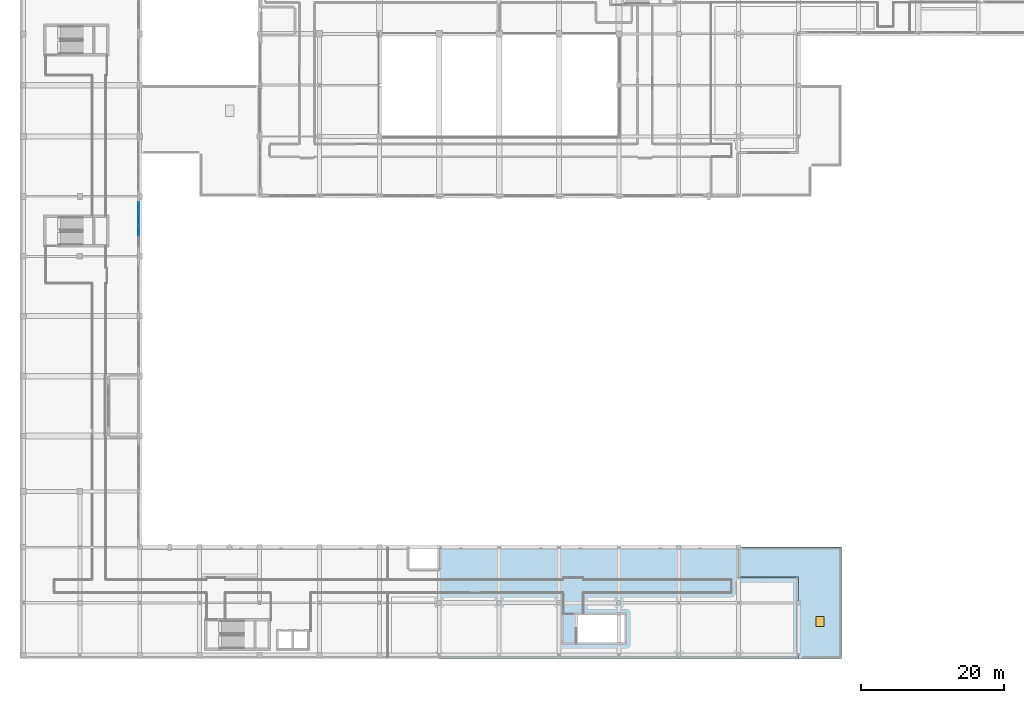
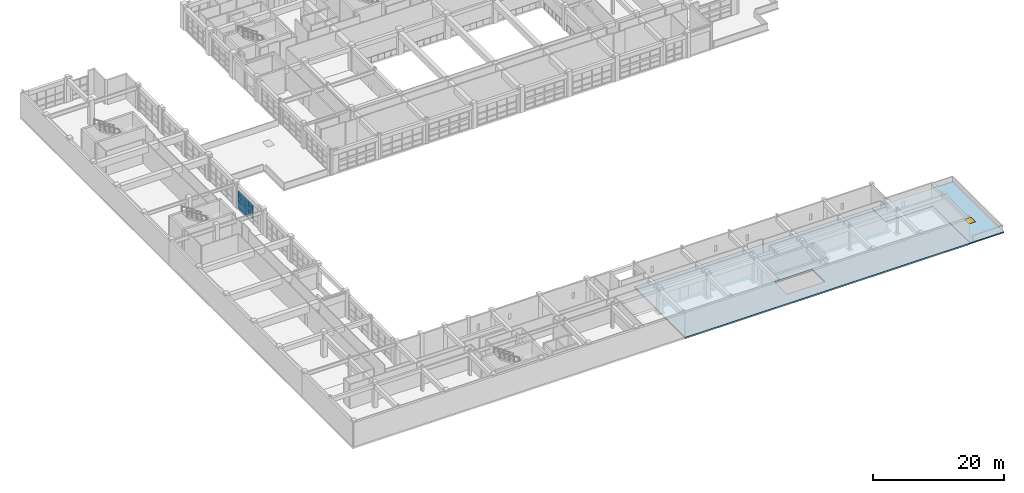
# One storey, part 90 of 123: 8 plates, 2 slabs, 1 window, 1 opening, 1 element without a shape of its own.
"""IFC4 building model written with IfcOpenShell, lengths in metres."""

import ifcopenshell
import ifcopenshell.guid

model = None  # the IFC model being written
_history = None  # IfcOwnerHistory: only IFC2X3 demands one
_inside = {}  # id of a spatial element -> (the spatial element, [elements in it])
_under = {}  # id of a project, library or spatial element -> (it, [spatial elements below it])
_declared = {}  # id of a project -> (the project, [libraries it declares])
_typed = {}  # id of a type object -> (the type object, [elements of that type])
_made_of = {}  # id of a material, layer set ... -> (it, [elements and type objects made of it])


def new_model(schema):
    """Start an empty IFC model of exactly this schema.

    Asked for "IFC4X3", IfcOpenShell would pick the latest addendum, in which some entities
    have other attributes; the version numbers below select the first issue.
    IFC2X3 requires an IfcOwnerHistory on every rooted entity: one is made here for all.
    """
    global model, _history
    if schema == "IFC4X3":
        model = ifcopenshell.file(schema_version=(4, 3, 0, 0))
    else:
        model = ifcopenshell.file(schema=schema)
    _inside.clear()
    _under.clear()
    _declared.clear()
    _typed.clear()
    _made_of.clear()
    _history = None
    if model.schema == "IFC2X3":
        org = make("IfcOrganization", Name="unknown")
        user = make(
            "IfcPersonAndOrganization",
            ThePerson=make("IfcPerson", FamilyName="unknown"),
            TheOrganization=org,
        )
        app = make(
            "IfcApplication",
            ApplicationDeveloper=org,
            Version="unknown",
            ApplicationFullName="unknown",
            ApplicationIdentifier="unknown",
        )
        _history = make(
            "IfcOwnerHistory",
            OwningUser=user,
            OwningApplication=app,
            ChangeAction="ADDED",
            CreationDate=0,
        )
    return model


def make(cls, **values):
    """One entity of the class cls with the attributes given. An attribute that is None is left unset."""
    return model.create_entity(
        cls, **{name: value for name, value in values.items() if value is not None}
    )


def rooted(cls, **values):
    """An entity with a GlobalId (a new one), such as an element, a storey or a relation."""
    return make(cls, GlobalId=ifcopenshell.guid.new(), OwnerHistory=_history, **values)


def si_unit(unit_type, name, prefix=None):
    """IfcSIUnit, for example si_unit("LENGTHUNIT", "METRE", prefix="MILLI")."""
    return make("IfcSIUnit", UnitType=unit_type, Prefix=prefix, Name=name)


def assignment(units):
    """IfcUnitAssignment: the units of a project."""
    return None if units is None else make("IfcUnitAssignment", Units=units)


def point(xyz):
    """IfcCartesianPoint."""
    return None if xyz is None else make("IfcCartesianPoint", Coordinates=xyz)


def direction(xyz):
    """IfcDirection."""
    return None if xyz is None else make("IfcDirection", DirectionRatios=xyz)


def frame(location, z_axis=None, x_axis=None):
    """IfcAxis2Placement3D, a coordinate frame: its origin and axes. An axis left out is left unset."""
    return make(
        "IfcAxis2Placement3D",
        Location=point(location),
        Axis=direction(z_axis),
        RefDirection=direction(x_axis),
    )


def frame_2d(location, x_axis=None):
    """IfcAxis2Placement2D, a coordinate frame in the plane: its origin and x axis."""
    return make(
        "IfcAxis2Placement2D", Location=point(location), RefDirection=direction(x_axis)
    )


def origin():
    """The frame at (0, 0, 0) with its axes left unset."""
    return frame((0.0, 0.0, 0.0))


def origin_2d():
    """The frame at (0, 0) in the plane with its x axis left unset."""
    return frame_2d((0.0, 0.0))


def place(relative_to, where):
    """IfcLocalPlacement: puts the frame where relative to a parent placement (None: the world)."""
    return make(
        "IfcLocalPlacement", PlacementRelTo=relative_to, RelativePlacement=where
    )


def context(
    kind, dimensions, precision=None, world=None, true_north=None, identifier=None
):
    """IfcGeometricRepresentationContext, for example the 3D "Model" context."""
    return make(
        "IfcGeometricRepresentationContext",
        ContextIdentifier=identifier,
        ContextType=kind,
        CoordinateSpaceDimension=dimensions,
        Precision=precision,
        WorldCoordinateSystem=world,
        TrueNorth=true_north,
    )


def subcontext(parent, identifier, kind, view, scale=None):
    """IfcGeometricRepresentationSubContext, for example "Body" below "Model"."""
    return make(
        "IfcGeometricRepresentationSubContext",
        ContextIdentifier=identifier,
        ContextType=kind,
        ParentContext=parent,
        TargetScale=scale,
        TargetView=view,
    )


def project(units=None, contexts=None):
    """IfcProject with its units and contexts."""
    return rooted(
        "IfcProject",
        Name="project",
        RepresentationContexts=contexts,
        UnitsInContext=assignment(units),
    )


def spatial(cls, under=None, at=None, **own):
    """A site, building, storey or space (cls), placed at a placement, below another one or the project."""
    s = rooted(cls, ObjectPlacement=at, **own)
    if under is not None:
        _under.setdefault(under.id(), (under, []))[1].append(s)
    return s


def polyline(points):
    """IfcPolyline through the points."""
    return make("IfcPolyline", Points=[point(p) for p in points])


def profile(cls, at=None, kind="AREA", **sizes):
    """A parametric profile (cls). Its sizes go by their IFC names, for example OverallWidth=200.0."""
    return make(cls, ProfileType=kind, Position=at, **sizes)


def rectangle(**sizes):
    """IfcRectangleProfileDef."""
    return profile("IfcRectangleProfileDef", **sizes)


def outline(outer, holes=None, kind="AREA"):
    """IfcArbitraryClosedProfileDef: a profile drawn as a closed curve; with holes, ...WithVoids."""
    if holes is None:
        return make("IfcArbitraryClosedProfileDef", ProfileType=kind, OuterCurve=outer)
    return make(
        "IfcArbitraryProfileDefWithVoids",
        ProfileType=kind,
        OuterCurve=outer,
        InnerCurves=holes,
    )


def extrude(swept, where, along, depth):
    """IfcExtrudedAreaSolid: the profile swept, set in the frame where, extruded along a direction by depth."""
    return make(
        "IfcExtrudedAreaSolid",
        SweptArea=swept,
        Position=where,
        ExtrudedDirection=direction(along),
        Depth=depth,
    )


def shape(context_of_items, identifier, shape_type, items):
    """IfcShapeRepresentation: the items that make up one representation, for example the "Body"."""
    return make(
        "IfcShapeRepresentation",
        ContextOfItems=context_of_items,
        RepresentationIdentifier=identifier,
        RepresentationType=shape_type,
        Items=items,
    )


def material(Name=None, Category=None):
    """IfcMaterial."""
    return make("IfcMaterial", Name=Name, Category=Category)


def layer(
    of_material, thickness, ventilated=None, Name=None, Category=None, Priority=None
):
    """IfcMaterialLayer: one layer of a wall or slab, of a material (None: an air gap)."""
    return make(
        "IfcMaterialLayer",
        Material=of_material,
        LayerThickness=thickness,
        IsVentilated=ventilated,
        Name=Name,
        Category=Category,
        Priority=Priority,
    )


def layer_set(layers, Name=None):
    """IfcMaterialLayerSet."""
    return make("IfcMaterialLayerSet", MaterialLayers=layers, LayerSetName=Name)


def made_of(thing, what):
    """Note that an element or type object is made of a material, layer set ...; save() writes the relation."""
    if what is not None:
        _made_of.setdefault(what.id(), (what, []))[1].append(thing)
    return thing


def type_object(cls, material=None, **own):
    """A type object (cls), such as IfcWallType, which elements share."""
    return made_of(rooted(cls, **own), material)


def element(
    cls,
    number,
    at=None,
    inside=None,
    cuts=None,
    type_object=None,
    material=None,
    context=None,
    identifier="Body",
    shape_type=None,
    held_by="IfcProductDefinitionShape",
    body=None,
    shapes=None,
    **own,
):
    """One element of the class cls, such as IfcWall. Its Tag is "e" and its number.

    at: its placement. inside: the storey or other place that contains it. cuts: it is an
    opening in that element (IfcRelVoidsElement). A single representation is given by context,
    identifier, shape_type and body (its items); several are given by shapes. held_by: the class
    of the entity that holds the representations. save() writes the other relations.
    """
    e = rooted(cls, Tag="e%d" % number, ObjectPlacement=at, **own)
    if body is not None:
        shapes = [shape(context, identifier, shape_type, body)]
    if shapes is not None:
        e.Representation = make(held_by, Representations=shapes)
    if inside is not None:
        _inside.setdefault(inside.id(), (inside, []))[1].append(e)
    if cuts is not None:
        rooted(
            "IfcRelVoidsElement", RelatingBuildingElement=cuts, RelatedOpeningElement=e
        )
    if type_object is not None:
        _typed.setdefault(type_object.id(), (type_object, []))[1].append(e)
    return made_of(e, material)


def fill(opening, filler):
    """IfcRelFillsElement: the door or window that sits in an opening."""
    return rooted(
        "IfcRelFillsElement",
        RelatingOpeningElement=opening,
        RelatedBuildingElement=filler,
    )


def aggregate(whole, parts):
    """IfcRelAggregates: a whole, such as a stair, and the parts it consists of."""
    return rooted("IfcRelAggregates", RelatingObject=whole, RelatedObjects=parts)


def save(model, path):
    """Write the relations noted so far, then the file.

    IfcRelAggregates (storeys below a building ...), IfcRelContainedInSpatialStructure (elements
    in a storey), IfcRelDefinesByType, IfcRelAssociatesMaterial and IfcRelDeclares: one each for
    every whole, place, type object, material and project.
    """
    for whole, parts in _under.values():
        aggregate(whole, parts)
    for where, things in _inside.values():
        rooted(
            "IfcRelContainedInSpatialStructure",
            RelatedElements=things,
            RelatingStructure=where,
        )
    for kind, things in _typed.values():
        rooted("IfcRelDefinesByType", RelatedObjects=things, RelatingType=kind)
    for what, things in _made_of.values():
        rooted("IfcRelAssociatesMaterial", RelatedObjects=things, RelatingMaterial=what)
    for by, libraries in _declared.values():
        rooted("IfcRelDeclares", RelatingContext=by, RelatedDefinitions=libraries)
    model.write(path)


model = new_model("IFC4")

# Units and contexts
model_context = context("Model", 3, precision=1e-05, world=origin(), true_north=direction((0.0, 1.0)))
body_context = subcontext(model_context, "Body", "Model", "MODEL_VIEW")
ifc_project = project(units=[si_unit("LENGTHUNIT", "METRE"), si_unit("AREAUNIT", "SQUARE_METRE"), si_unit("VOLUMEUNIT", "CUBIC_METRE"), si_unit("PLANEANGLEUNIT", "RADIAN"), si_unit("MASSUNIT", "GRAM", prefix="KILO")], contexts=[model_context])

# Site, building, storey
site_placement = place(None, origin())
site = spatial("IfcSite", under=ifc_project, at=site_placement, CompositionType="ELEMENT")
building_placement = place(site_placement, origin())
building = spatial("IfcBuilding", under=site, at=building_placement, Name="Quendrovan Civic Courthouse", CompositionType="ELEMENT")
storey_placement = place(building_placement, frame((0.0, 0.0, 5.39990234375)))
storey = spatial("IfcBuildingStorey", under=building, at=storey_placement, Name="L02", CompositionType="ELEMENT", Elevation=5.39990234375)

# Curtain wall, plates
ifc_material_1 = material(Name="Bronze anodised aluminium and low-E glass", Category="aluminium")
ifc_layer_1 = layer(ifc_material_1, 0.179931640625, Name="Bronze anodised aluminium and low-E glass")
ifc_layer_set_1 = layer_set([ifc_layer_1], Name="Bronze anodised aluminium and low-E glass")
curtain_wall_type = type_object("IfcCurtainWallType", Name="CW-U63x36", PredefinedType="USERDEFINED", material=ifc_layer_set_1)
curtain_wall_placement = place(storey_placement, origin())
curtain_wall = element("IfcCurtainWall", 1, at=curtain_wall_placement, inside=storey, type_object=curtain_wall_type, Name="L02 Unitised Hurricane Curtain Wall CW-073", ObjectType="UNITISED CURTAIN WALL", PredefinedType="USERDEFINED")
ifc_material_2 = material(Name="Laminated hurricane-impact low-E glass", Category="glass")
ifc_layer_2 = layer(ifc_material_2, 0.031982421875, Name="Laminated hurricane-impact low-E glass")
ifc_layer_set_2 = layer_set([ifc_layer_2], Name="Laminated hurricane-impact low-E glass")
plate_type = type_object("IfcPlateType", Name="CW-PNL-2", PredefinedType="CURTAIN_PANEL", material=ifc_layer_set_2)
plate_1_placement = place(storey_placement, frame((16.635009765625, 63.218017578125, 0.065185546875), z_axis=(0.0, 0.0, 1.0), x_axis=(0.0, -1.0, 0.0)))
plate_1 = element("IfcPlate", 2, at=plate_1_placement, type_object=plate_type, Name="CW-073 panel 1.1", PredefinedType="CURTAIN_PANEL", context=body_context, shape_type="SweptSolid", body=[
    extrude(rectangle(XDim=1.483642578125, YDim=0.031982421875, at=origin_2d()), origin(), (0.0, 0.0, 1.0), 0.8525390625),
])
plate_2_placement = place(storey_placement, frame((16.635009765625, 63.218017578125, 0.982421875), z_axis=(0.0, 0.0, 1.0), x_axis=(0.0, -1.0, 0.0)))
plate_2 = element("IfcPlate", 3, at=plate_2_placement, type_object=plate_type, Name="CW-073 panel 1.2", PredefinedType="CURTAIN_PANEL", context=body_context, shape_type="SweptSolid", body=[
    extrude(rectangle(XDim=1.483642578125, YDim=0.031982421875, at=origin_2d()), origin(), (0.0, 0.0, 1.0), 1.135009765625),
])
plate_3_placement = place(storey_placement, frame((16.635009765625, 63.218017578125, 2.1826171875), z_axis=(0.0, 0.0, 1.0), x_axis=(0.0, -1.0, 0.0)))
plate_3 = element("IfcPlate", 4, at=plate_3_placement, type_object=plate_type, Name="CW-073 panel 1.3", PredefinedType="CURTAIN_PANEL", context=body_context, shape_type="SweptSolid", body=[
    extrude(rectangle(XDim=1.483642578125, YDim=0.031982421875, at=origin_2d()), origin(), (0.0, 0.0, 1.0), 1.3525390625),
])
plate_4_placement = place(storey_placement, frame((16.635009765625, 61.653076171875, 0.065185546875), z_axis=(0.0, 0.0, 1.0), x_axis=(0.0, -1.0, 0.0)))
plate_4 = element("IfcPlate", 5, at=plate_4_placement, type_object=plate_type, Name="CW-073 panel 2.1", PredefinedType="CURTAIN_PANEL", context=body_context, shape_type="SweptSolid", body=[
    extrude(rectangle(XDim=1.516357421875, YDim=0.031982421875, at=origin_2d()), origin(), (0.0, 0.0, 1.0), 0.8525390625),
])
plate_5_placement = place(storey_placement, frame((16.635009765625, 61.653076171875, 0.982421875), z_axis=(0.0, 0.0, 1.0), x_axis=(0.0, -1.0, 0.0)))
plate_5 = element("IfcPlate", 6, at=plate_5_placement, type_object=plate_type, Name="CW-073 panel 2.2", PredefinedType="CURTAIN_PANEL", context=body_context, shape_type="SweptSolid", body=[
    extrude(rectangle(XDim=1.516357421875, YDim=0.031982421875, at=origin_2d()), origin(), (0.0, 0.0, 1.0), 1.135009765625),
])
plate_6_placement = place(storey_placement, frame((16.635009765625, 61.653076171875, 2.1826171875), z_axis=(0.0, 0.0, 1.0), x_axis=(0.0, -1.0, 0.0)))
plate_6 = element("IfcPlate", 7, at=plate_6_placement, type_object=plate_type, Name="CW-073 panel 2.3", PredefinedType="CURTAIN_PANEL", context=body_context, shape_type="SweptSolid", body=[
    extrude(rectangle(XDim=1.516357421875, YDim=0.031982421875, at=origin_2d()), origin(), (0.0, 0.0, 1.0), 1.3525390625),
])
plate_7_placement = place(storey_placement, frame((16.635009765625, 60.07177734375, 0.982421875), z_axis=(0.0, 0.0, 1.0), x_axis=(0.0, -1.0, 0.0)))
plate_7 = element("IfcPlate", 8, at=plate_7_placement, type_object=plate_type, Name="CW-073 panel 3.2", PredefinedType="CURTAIN_PANEL", context=body_context, shape_type="SweptSolid", body=[
    extrude(rectangle(XDim=1.516357421875, YDim=0.031982421875, at=origin_2d()), origin(), (0.0, 0.0, 1.0), 1.135009765625),
])
plate_8_placement = place(storey_placement, frame((16.635009765625, 60.07177734375, 2.1826171875), z_axis=(0.0, 0.0, 1.0), x_axis=(0.0, -1.0, 0.0)))
plate_8 = element("IfcPlate", 9, at=plate_8_placement, type_object=plate_type, Name="CW-073 panel 3.3", PredefinedType="CURTAIN_PANEL", context=body_context, shape_type="SweptSolid", body=[
    extrude(rectangle(XDim=1.516357421875, YDim=0.031982421875, at=origin_2d()), origin(), (0.0, 0.0, 1.0), 1.3525390625),
])
aggregate(curtain_wall, [plate_1, plate_2, plate_3, plate_4, plate_5, plate_6, plate_7, plate_8])

# Slab
ifc_material_3 = material(Name="Post-tensioned concrete C50/60", Category="concrete")
ifc_layer_3 = layer(ifc_material_3, 0.280029296875, Name="Post-tensioned concrete C50/60")
ifc_layer_set_3 = layer_set([ifc_layer_3], Name="Post-tensioned concrete C50/60")
slab_type_1 = type_object("IfcSlabType", Name="SLB-PT-280", PredefinedType="FLOOR", material=ifc_layer_set_3)
slab_1_placement = place(storey_placement, frame((0.0, 0.0, -0.27978515625)))
element("IfcSlab", 10, at=slab_1_placement, inside=storey, type_object=slab_type_1, Name="L02 Structural Floor Slab V5E", PredefinedType="FLOOR", context=body_context, shape_type="SweptSolid", body=[
    extrude(outline(polyline([(58.800048828125, 0.0), (58.800048828125, 15.60009765625), (100.800048828125, 15.60009765625), (100.800048828125, 11.39990234375), (109.199951171875, 11.39990234375), (109.199951171875, 0.0), (58.800048828125, 0.0)]), holes=[polyline([(84.800048828125, 2.199951171875), (84.800048828125, 6.080078125), (78.050048828125, 6.080078125), (78.050048828125, 2.199951171875), (84.800048828125, 2.199951171875)])]), origin(), (0.0, 0.0, 1.0), 0.27978515625),
])

# Slab, opening, window
ifc_material_4 = material(Name="Concrete C40/50", Category="concrete")
ifc_layer_4 = layer(ifc_material_4, 0.219970703125, Name="Concrete C40/50")
ifc_layer_set_4 = layer_set([ifc_layer_4], Name="Concrete C40/50")
slab_type_2 = type_object("IfcSlabType", Name="SLB-RC-220", PredefinedType="ROOF", material=ifc_layer_set_4)
slab_2_placement = place(storey_placement, frame((0.0, 0.0, -0.219970703125)))
slab_2 = element("IfcSlab", 11, at=slab_2_placement, inside=storey, type_object=slab_type_2, Name="L02 Step-Back Structural Roof Slab SLB-ROOF-L02-01", PredefinedType="ROOF", context=body_context, shape_type="SweptSolid", body=[
    extrude(outline(polyline([(115.199951171875, 15.60009765625), (115.199951171875, 0.0), (109.199951171875, 0.0), (109.199951171875, 11.39990234375), (100.800048828125, 11.39990234375), (100.800048828125, 15.60009765625), (115.199951171875, 15.60009765625)])), origin(), (0.0, 0.0, 1.0), 0.219970703125),
])
opening_placement = place(slab_2_placement, frame((112.199951171875, 5.199951171875, 0.0)))
opening = element("IfcOpeningElement", 12, at=opening_placement, cuts=slab_2, Name="Opening RH1", PredefinedType="OPENING", context=body_context, shape_type="SweptSolid", body=[
    extrude(rectangle(XDim=1.10009765625, YDim=1.39990234375, at=origin_2d()), frame((0.0, 0.0, -0.010009765625)), (0.0, 0.0, 1.0), 0.239990234375),
])
window_type = type_object("IfcWindowType", Name="WIN-HATCH-1", PartitioningType="SINGLE_PANEL", PredefinedType="SKYLIGHT", material=ifc_material_2)
window_placement = place(opening_placement, frame((0.0, 0.0, 0.169921875)))
window = element("IfcWindow", 13, at=window_placement, inside=storey, type_object=window_type, Name="L02 Smoke-Venting Roof Access Skylight Hatch RH-01", OverallHeight=1.39990234375, OverallWidth=1.10009765625, PartitioningType="SINGLE_PANEL", PredefinedType="SKYLIGHT", context=body_context, shape_type="SweptSolid", body=[
    extrude(rectangle(XDim=1.10009765625, YDim=1.39990234375, at=origin_2d()), origin(), (0.0, 0.0, 1.0), 0.050048828125),
])
fill(opening, window)

save(model, "model.ifc")
